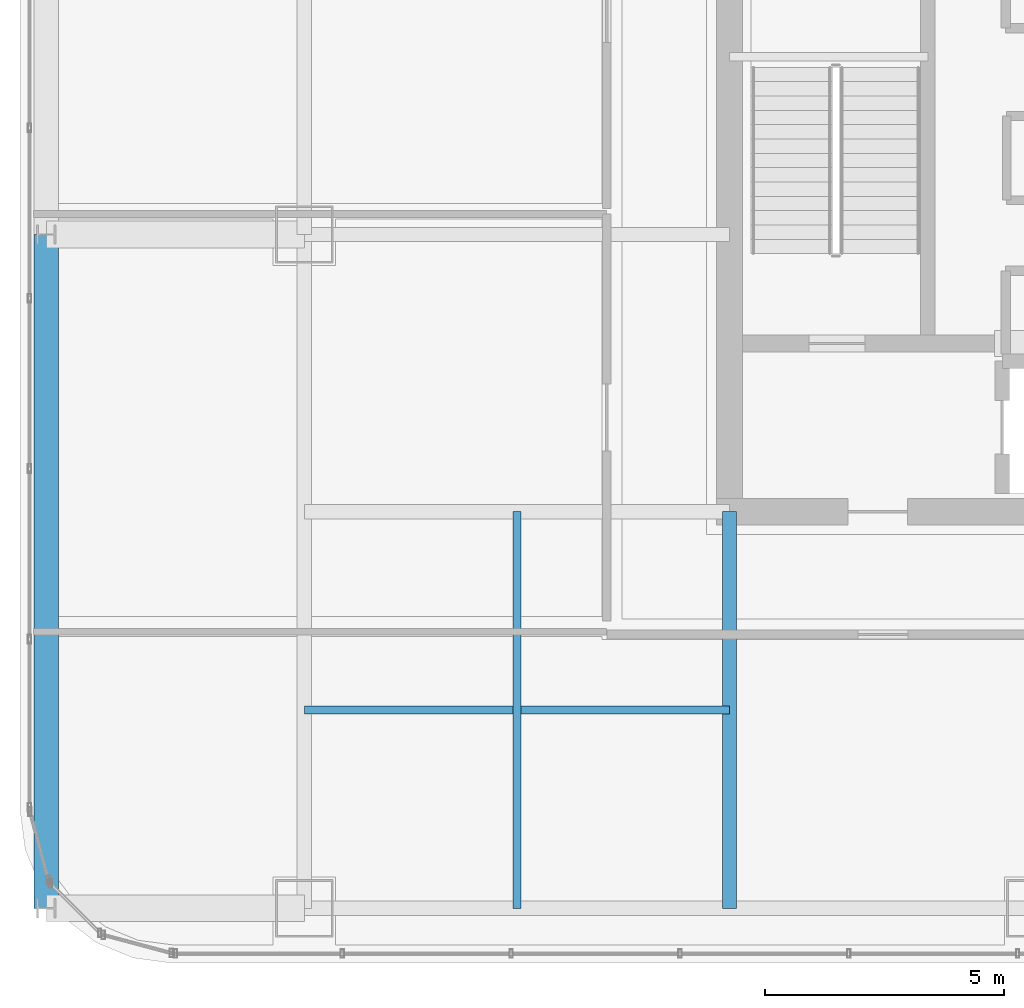
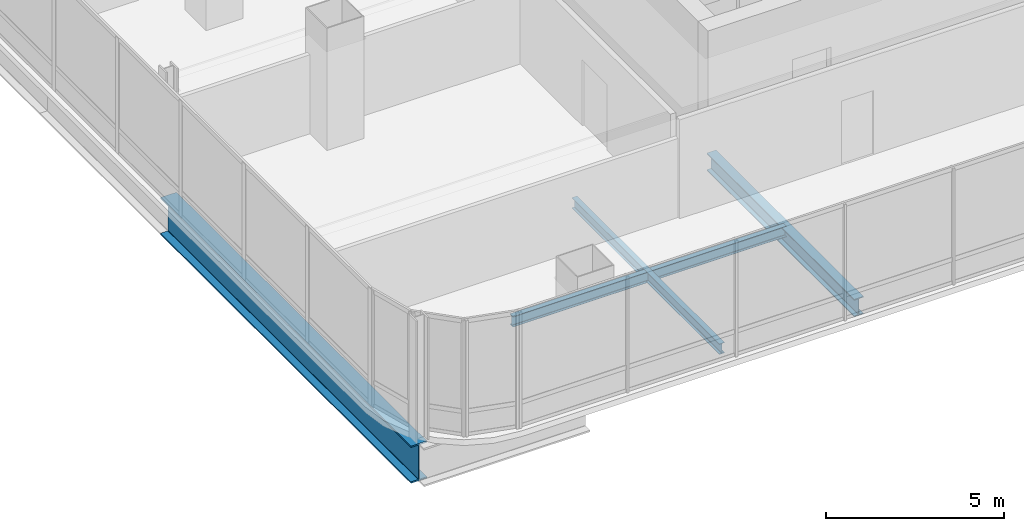
# One storey, part 4 of 41: 4 beams.
"""IFC4 building model written with IfcOpenShell, lengths in metres."""

from ifc_helpers import new_model, si_unit, direction, frame, origin, origin_2d, place, context, subcontext, project, spatial, i_section, extrude, material, material_profile, profile_set, type_object, element, save


model = new_model("IFC4")

# Units and contexts
model_context = context("Model", 3, precision=1e-05, world=origin(), true_north=direction((0.0, 1.0)))
body_context = subcontext(model_context, "Body", "Model", "MODEL_VIEW")
ifc_project = project(units=[si_unit("LENGTHUNIT", "METRE"), si_unit("AREAUNIT", "SQUARE_METRE"), si_unit("VOLUMEUNIT", "CUBIC_METRE"), si_unit("PLANEANGLEUNIT", "RADIAN"), si_unit("MASSUNIT", "GRAM", prefix="KILO")], contexts=[model_context])

# Site, building, storey
site_placement = place(None, origin())
site = spatial("IfcSite", under=ifc_project, at=site_placement, CompositionType="ELEMENT")
building_placement = place(site_placement, origin())
building = spatial("IfcBuilding", under=site, at=building_placement, Name="Punatoya Terracotta Tower", CompositionType="ELEMENT")
storey_placement = place(building_placement, frame((0.0, 0.0, 292.199951171875)))
storey = spatial("IfcBuildingStorey", under=building, at=storey_placement, Name="L69", CompositionType="ELEMENT", Elevation=292.199951171875)

# Beams
ifc_material_1 = material(Name="Steel S355", Category="steel")
ifc_material_profile_1 = material_profile(ifc_material_1, i_section(OverallWidth=0.300048828125, OverallDepth=0.60009765625, WebThickness=0.015380859375, FlangeThickness=0.030029296875, FilletRadius=0.01806640625, at=origin_2d()))
ifc_profile_set_1 = profile_set([ifc_material_profile_1], Name="Steel S355")
beam_type_1 = type_object("IfcBeamType", Name="BM-PRI-600", PredefinedType="BEAM", material=ifc_profile_set_1)
beam_1_placement = place(storey_placement, frame((-10.199951171875, -17.5, -0.5), z_axis=(0.0, 1.0, 0.0), x_axis=(-1.0, 0.0, 0.0)))
element("IfcBeam", 1, at=beam_1_placement, inside=storey, type_object=beam_type_1, Name="BM-L69-PR-S1", PredefinedType="BEAM", context=body_context, shape_type="SweptSolid", body=[
    extrude(i_section(OverallWidth=0.300048828125, OverallDepth=0.60009765625, WebThickness=0.015380859375, FlangeThickness=0.030029296875, FilletRadius=0.01806640625, at=origin_2d()), origin(), (0.0, 0.0, 1.0), 8.300048828125),
])
ifc_material_profile_2 = material_profile(ifc_material_1, i_section(OverallWidth=0.169921875, OverallDepth=0.360107421875, WebThickness=0.008056640625, FlangeThickness=0.0126953125, FilletRadius=0.01806640625, at=origin_2d()))
ifc_profile_set_2 = profile_set([ifc_material_profile_2], Name="Steel S355")
beam_type_2 = type_object("IfcBeamType", Name="BM-SEC-360", PredefinedType="JOIST", material=ifc_profile_set_2)
beam_2_placement = place(storey_placement, frame((-19.10009765625, -13.35009765625, -0.3798828125), z_axis=(1.0, 0.0, 0.0), x_axis=(0.0, 1.0, 0.0)))
element("IfcBeam", 2, at=beam_2_placement, inside=storey, type_object=beam_type_2, Name="BM-L69-SJS-1", PredefinedType="JOIST", context=body_context, shape_type="SweptSolid", body=[
    extrude(i_section(OverallWidth=0.169921875, OverallDepth=0.360107421875, WebThickness=0.008056640625, FlangeThickness=0.0126953125, FilletRadius=0.01806640625, at=origin_2d()), origin(), (0.0, 0.0, 1.0), 8.900146484375),
])
beam_3_placement = place(storey_placement, frame((-14.64990234375, -17.5, -0.3798828125), z_axis=(0.0, 1.0, 0.0), x_axis=(-1.0, 0.0, 0.0)))
element("IfcBeam", 3, at=beam_3_placement, inside=storey, type_object=beam_type_2, Name="BM-L69-SJW-1", PredefinedType="JOIST", context=body_context, shape_type="SweptSolid", body=[
    extrude(i_section(OverallWidth=0.169921875, OverallDepth=0.360107421875, WebThickness=0.008056640625, FlangeThickness=0.0126953125, FilletRadius=0.01806640625, at=origin_2d()), origin(), (0.0, 0.0, 1.0), 8.300048828125),
])
ifc_material_2 = material(Name="Steel S460", Category="steel")
ifc_material_profile_3 = material_profile(ifc_material_2, i_section(OverallWidth=0.52001953125, OverallDepth=1.280029296875, WebThickness=0.031982421875, FlangeThickness=0.050048828125, FilletRadius=0.01806640625, at=origin_2d()))
ifc_profile_set_3 = profile_set([ifc_material_profile_3], Name="Steel S460")
beam_type_3 = type_object("IfcBeamType", Name="BM-TG-NCK", PredefinedType="BEAM", material=ifc_profile_set_3)
beam_4_placement = place(storey_placement, frame((-24.5, -17.5, -0.83984375), z_axis=(0.0, 1.0, 0.0), x_axis=(-1.0, 0.0, 0.0)))
element("IfcBeam", 4, at=beam_4_placement, inside=storey, type_object=beam_type_3, Name="BM-L69-PER-W1", PredefinedType="BEAM", context=body_context, shape_type="SweptSolid", body=[
    extrude(i_section(OverallWidth=0.52001953125, OverallDepth=1.280029296875, WebThickness=0.031982421875, FlangeThickness=0.050048828125, FilletRadius=0.01806640625, at=origin_2d()), origin(), (0.0, 0.0, 1.0), 14.10009765625),
])

save(model, "model.ifc")
